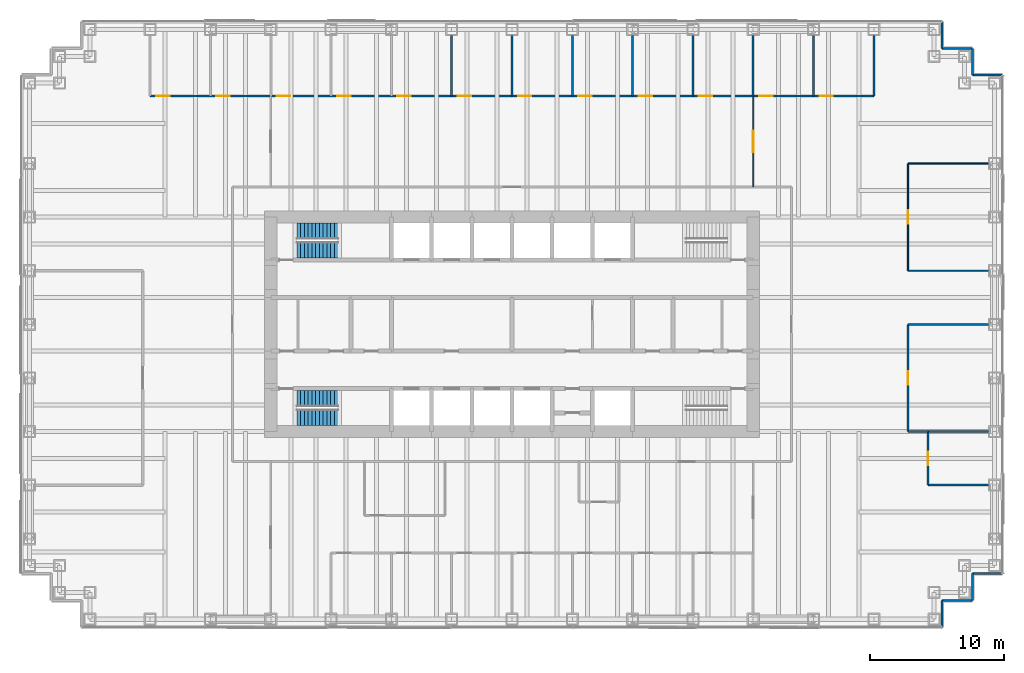
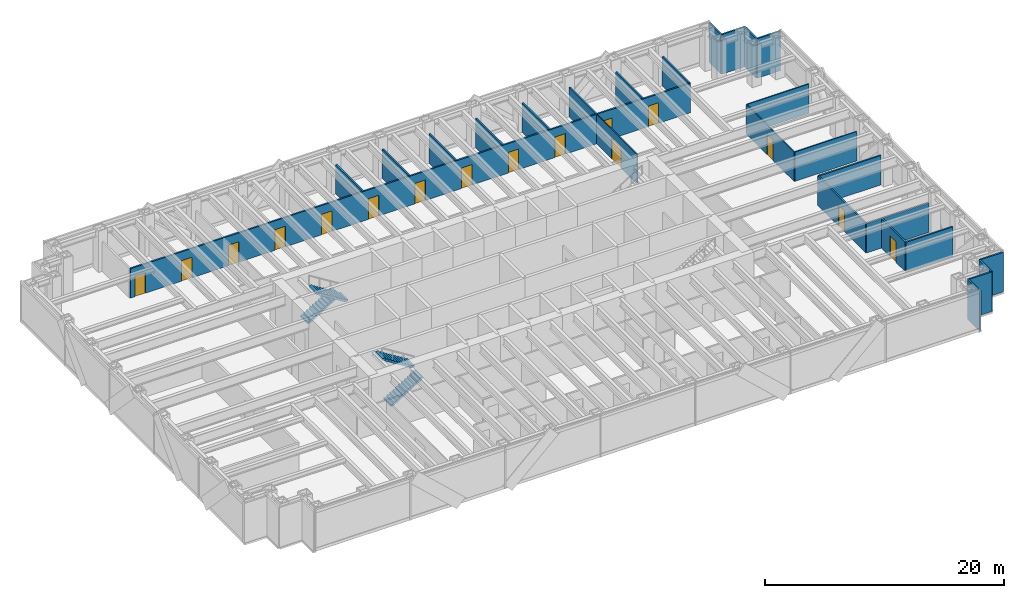
# One storey, part 14 of 16: 27 walls, 16 doors, 4 stair flights, 16 openings, 2 elements without a shape of their own.
"""IFC4 building model written with IfcOpenShell, lengths in metres."""

from ifc_helpers import new_model, si_unit, direction, frame, frame_2d, origin, place, context, subcontext, project, spatial, polyline, rectangle, outline, extrude, material, layer, layer_set, type_object, element, fill, aggregate, save


model = new_model("IFC4")

# Units and contexts
model_context = context("Model", 3, precision=1e-05, world=origin(), true_north=direction((0.0, 1.0)))
body_context = subcontext(model_context, "Body", "Model", "MODEL_VIEW")
ifc_project = project(units=[si_unit("LENGTHUNIT", "METRE"), si_unit("AREAUNIT", "SQUARE_METRE"), si_unit("VOLUMEUNIT", "CUBIC_METRE"), si_unit("PLANEANGLEUNIT", "RADIAN"), si_unit("MASSUNIT", "GRAM", prefix="KILO")], contexts=[model_context])

# Site, building, storey
site_placement = place(None, origin())
site = spatial("IfcSite", under=ifc_project, at=site_placement, CompositionType="ELEMENT")
building_placement = place(site_placement, origin())
building = spatial("IfcBuilding", under=site, at=building_placement, Name="Rheinbord Bourse Tower", CompositionType="ELEMENT")
storey_placement = place(building_placement, frame((0.0, 0.0, 171.89990234375)))
storey = spatial("IfcBuildingStorey", under=building, at=storey_placement, Name="L38", CompositionType="ELEMENT", Elevation=171.89990234375)

# Walls
ifc_material_1 = material(Name="Black metal rainscreen panel", Category="aluminium")
ifc_layer_1 = layer(ifc_material_1, 0.14990234375)
ifc_layer_set_1 = layer_set([ifc_layer_1], Name="CORNER PIER CLADDING 150")
wall_type_1 = type_object("IfcWallType", Name="CORNER PIER CLADDING 150", PredefinedType="ELEMENTEDWALL", material=ifc_layer_set_1)
wall_1_placement = place(storey_placement, frame((68.10009765625, 1.39990234375, 0.0), z_axis=(0.0, 0.0, 1.0), x_axis=(0.0, 1.0, 0.0)))
element("IfcWall", 1, at=wall_1_placement, inside=storey, type_object=wall_type_1, Name="Corner pier cladding L38 2", PredefinedType="ELEMENTEDWALL", context=body_context, shape_type="SweptSolid", body=[
    extrude(rectangle(XDim=2.0, YDim=0.14990234375, at=frame_2d((1.0, 0.0))), origin(), (0.0, 0.0, 1.0), 4.0400390625),
])
wall_2_placement = place(storey_placement, frame((68.10009765625, 3.39990234375, 0.0), z_axis=(0.0, 0.0, 1.0), x_axis=(1.0, 0.0, 0.0)))
element("IfcWall", 2, at=wall_2_placement, inside=storey, type_object=wall_type_1, Name="Corner pier cladding L38 3", PredefinedType="ELEMENTEDWALL", context=body_context, shape_type="SweptSolid", body=[
    extrude(rectangle(XDim=2.25, YDim=0.14990234375, at=frame_2d((1.125, 0.0))), origin(), (0.0, 0.0, 1.0), 4.0400390625),
])
wall_3_placement = place(storey_placement, frame((70.35009765625, 3.39990234375, 0.0), z_axis=(0.0, 0.0, 1.0), x_axis=(0.0, 1.0, 0.0)))
element("IfcWall", 3, at=wall_3_placement, inside=storey, type_object=wall_type_1, Name="Corner pier cladding L38 4", PredefinedType="ELEMENTEDWALL", context=body_context, shape_type="SweptSolid", body=[
    extrude(rectangle(XDim=2.0, YDim=0.14990234375, at=frame_2d((1.0, 0.0))), origin(), (0.0, 0.0, 1.0), 4.0400390625),
])
for number, where, z_axis, x_axis, name in (
    (4, (70.35009765625, 5.39990234375, 0.0), (0.0, 0.0, 1.0), (1.0, 0.0, 0.0), "Corner pier cladding L38 5"),
    (5, (72.60009765625, 42.60009765625, 0.0), (0.0, 0.0, 1.0), (-1.0, 0.0, 0.0), "Corner pier cladding L38 7"),
):
    element("IfcWall", number, at=place(storey_placement, frame(where, z_axis=z_axis, x_axis=x_axis)), inside=storey, type_object=wall_type_1, Name=name, PredefinedType="ELEMENTEDWALL", context=body_context, shape_type="SweptSolid", body=[
        extrude(rectangle(XDim=2.25, YDim=0.14990234375, at=frame_2d((1.125, 0.0))), origin(), (0.0, 0.0, 1.0), 4.0400390625),
    ])
wall_4_placement = place(storey_placement, frame((70.35009765625, 42.60009765625, 0.0), z_axis=(0.0, 0.0, 1.0), x_axis=(0.0, 1.0, 0.0)))
element("IfcWall", 6, at=wall_4_placement, inside=storey, type_object=wall_type_1, Name="Corner pier cladding L38 8", PredefinedType="ELEMENTEDWALL", context=body_context, shape_type="SweptSolid", body=[
    extrude(rectangle(XDim=2.0, YDim=0.14990234375, at=frame_2d((1.0, 0.0))), origin(), (0.0, 0.0, 1.0), 4.0400390625),
])
wall_5_placement = place(storey_placement, frame((70.35009765625, 44.60009765625, 0.0), z_axis=(0.0, 0.0, 1.0), x_axis=(-1.0, 0.0, 0.0)))
element("IfcWall", 7, at=wall_5_placement, inside=storey, type_object=wall_type_1, Name="Corner pier cladding L38 9", PredefinedType="ELEMENTEDWALL", context=body_context, shape_type="SweptSolid", body=[
    extrude(rectangle(XDim=2.25, YDim=0.14990234375, at=frame_2d((1.125, 0.0))), origin(), (0.0, 0.0, 1.0), 4.0400390625),
])
wall_6_placement = place(storey_placement, frame((68.10009765625, 44.60009765625, 0.0), z_axis=(0.0, 0.0, 1.0), x_axis=(0.0, 1.0, 0.0)))
element("IfcWall", 8, at=wall_6_placement, inside=storey, type_object=wall_type_1, Name="Corner pier cladding L38 10", PredefinedType="ELEMENTEDWALL", context=body_context, shape_type="SweptSolid", body=[
    extrude(rectangle(XDim=2.0, YDim=0.14990234375, at=frame_2d((1.0, 0.0))), origin(), (0.0, 0.0, 1.0), 4.0400390625),
])
ifc_material_2 = material(Name="Gypsum board fire partition", Category="gypsum board")
ifc_layer_2 = layer(ifc_material_2, 0.14990234375)
ifc_layer_set_2 = layer_set([ifc_layer_2], Name="FIRE PARTITION 150 EI60")
wall_type_2 = type_object("IfcWallType", Name="FIRE PARTITION 150 EI60", PredefinedType="PARTITIONING", material=ifc_layer_set_2)
for number, where, z_axis, x_axis, name in (
    (9, (67.050048828125, 12.0, 0.0), (0.0, 0.0, 1.0), (1.0, 0.0, 0.0), "Partition L38-05"),
    (10, (67.050048828125, 16.0, 0.0), (0.0, 0.0, 1.0), (1.0, 0.0, 0.0), "Partition L38-08"),
):
    element("IfcWall", number, at=place(storey_placement, frame(where, z_axis=z_axis, x_axis=x_axis)), inside=storey, type_object=wall_type_2, Name=name, PredefinedType="PARTITIONING", context=body_context, shape_type="SweptSolid", body=[
        extrude(rectangle(XDim=4.5, YDim=0.14990234375, at=frame_2d((2.25, 0.0))), origin(), (0.0, 0.0, 1.0), 3.0),
    ])

# Wall, opening, door
wall_7_placement = place(storey_placement, frame((67.050048828125, 12.0, 0.0), z_axis=(0.0, 0.0, 1.0), x_axis=(0.0, 1.0, 0.0)))
wall_7 = element("IfcWall", 11, at=wall_7_placement, inside=storey, type_object=wall_type_2, Name="Partition L38-49", PredefinedType="PARTITIONING", context=body_context, shape_type="SweptSolid", body=[
    extrude(rectangle(XDim=4.0, YDim=0.14990234375, at=frame_2d((2.0, 0.0))), origin(), (0.0, 0.0, 1.0), 3.0),
])
opening_1_placement = place(wall_7_placement, frame((1.5, 0.0, 0.0)))
opening_1 = element("IfcOpeningElement", 12, at=opening_1_placement, cuts=wall_7, Name="Opening 38D10", PredefinedType="OPENING", context=body_context, shape_type="SweptSolid", body=[
    extrude(rectangle(XDim=1.0, YDim=2.10009765625, at=frame_2d((0.5, 1.050048828125))), frame((0.0, 0.0849609375, 0.0), z_axis=(0.0, -1.0, 0.0), x_axis=(1.0, 0.0, 0.0)), (0.0, 0.0, 1.0), 0.169921875),
])
ifc_material_3 = material(Name="Timber fire door", Category="wood")
door_type_1 = type_object("IfcDoorType", Name="FIRE DOOR 1000 EI60", OperationType="SINGLE_SWING_LEFT", PredefinedType="DOOR", material=ifc_material_3)
door_1_placement = place(opening_1_placement, origin())
door_1 = element("IfcDoor", 13, at=door_1_placement, inside=storey, type_object=door_type_1, Name="File room door L38", OperationType="SINGLE_SWING_LEFT", OverallHeight=2.10009765625, OverallWidth=1.0, PredefinedType="DOOR", context=body_context, shape_type="SweptSolid", body=[
    extrude(rectangle(XDim=1.0, YDim=2.10009765625, at=frame_2d((0.5, 1.050048828125))), frame((0.0, 0.02490234375, 0.0), z_axis=(0.0, -1.0, 0.0), x_axis=(1.0, 0.0, 0.0)), (0.0, 0.0, 1.0), 0.050048828125),
])
fill(opening_1, door_1)

# Walls
ifc_material_4 = material(Name="Toughened laminated glass partition", Category="glass")
ifc_layer_3 = layer(ifc_material_4, 0.10009765625)
ifc_layer_set_3 = layer_set([ifc_layer_3], Name="GLAZED PARTITION 100")
wall_type_3 = type_object("IfcWallType", Name="GLAZED PARTITION 100", PredefinedType="PARTITIONING", material=ifc_layer_set_3)
for number, where, z_axis, x_axis, name in (
    (14, (65.550048828125, 28.0, 0.0), (0.0, 0.0, 1.0), (1.0, 0.0, 0.0), "Partition L38-11"),
    (15, (65.550048828125, 36.0, 0.0), (0.0, 0.0, 1.0), (1.0, 0.0, 0.0), "Partition L38-13"),
):
    element("IfcWall", number, at=place(storey_placement, frame(where, z_axis=z_axis, x_axis=x_axis)), inside=storey, type_object=wall_type_3, Name=name, PredefinedType="PARTITIONING", context=body_context, shape_type="SweptSolid", body=[
        extrude(rectangle(XDim=6.0, YDim=0.10009765625, at=frame_2d((3.0, 0.0))), origin(), (0.0, 0.0, 1.0), 3.0),
    ])

# Wall, opening, door
wall_8_placement = place(storey_placement, frame((54.0, 34.25, 0.0), z_axis=(0.0, 0.0, 1.0), x_axis=(0.0, 1.0, 0.0)))
wall_8 = element("IfcWall", 16, at=wall_8_placement, inside=storey, type_object=wall_type_3, Name="Partition L38-42", PredefinedType="PARTITIONING", context=body_context, shape_type="SweptSolid", body=[
    extrude(rectangle(XDim=6.800048828125, YDim=0.10009765625, at=frame_2d((3.39990234375, 0.0))), origin(), (0.0, 0.0, 1.0), 3.0),
])
opening_2_placement = place(wall_8_placement, frame((2.60009765625, 0.0, 0.0)))
opening_2 = element("IfcOpeningElement", 17, at=opening_2_placement, cuts=wall_8, Name="Opening 38D29", PredefinedType="OPENING", context=body_context, shape_type="SweptSolid", body=[
    extrude(rectangle(XDim=1.60009765625, YDim=2.10009765625, at=frame_2d((0.800048828125, 1.050048828125))), frame((0.0, 0.06005859375, 0.0), z_axis=(0.0, -1.0, 0.0), x_axis=(1.0, 0.0, 0.0)), (0.0, 0.0, 1.0), 0.1201171875),
])
ifc_material_5 = material(Name="Timber door", Category="wood")
door_type_2 = type_object("IfcDoorType", Name="DOUBLE ROOM DOOR 1600", OperationType="DOUBLE_DOOR_DOUBLE_SWING", PredefinedType="DOOR", material=ifc_material_5)
door_2_placement = place(opening_2_placement, origin())
door_2 = element("IfcDoor", 18, at=door_2_placement, inside=storey, type_object=door_type_2, Name="Open area door L38", OperationType="SINGLE_SWING_LEFT", OverallHeight=2.10009765625, OverallWidth=1.60009765625, PredefinedType="DOOR", context=body_context, shape_type="SweptSolid", body=[
    extrude(rectangle(XDim=1.60009765625, YDim=2.10009765625, at=frame_2d((0.800048828125, 1.050048828125))), frame((0.0, 0.02490234375, 0.0), z_axis=(0.0, -1.0, 0.0), x_axis=(1.0, 0.0, 0.0)), (0.0, 0.0, 1.0), 0.050048828125),
])
fill(opening_2, door_2)

wall_9_placement = place(storey_placement, frame((65.550048828125, 28.0, 0.0), z_axis=(0.0, 0.0, 1.0), x_axis=(0.0, 1.0, 0.0)))
wall_9 = element("IfcWall", 19, at=wall_9_placement, inside=storey, type_object=wall_type_3, Name="Partition L38-48", PredefinedType="PARTITIONING", context=body_context, shape_type="SweptSolid", body=[
    extrude(rectangle(XDim=8.0, YDim=0.10009765625, at=frame_2d((4.0, 0.0))), origin(), (0.0, 0.0, 1.0), 3.0),
])
opening_3_placement = place(wall_9_placement, frame((3.5, 0.0, 0.0)))
opening_3 = element("IfcOpeningElement", 20, at=opening_3_placement, cuts=wall_9, Name="Opening 38D13", PredefinedType="OPENING", context=body_context, shape_type="SweptSolid", body=[
    extrude(rectangle(XDim=1.0, YDim=2.10009765625, at=frame_2d((0.5, 1.050048828125))), frame((0.0, 0.06005859375, 0.0), z_axis=(0.0, -1.0, 0.0), x_axis=(1.0, 0.0, 0.0)), (0.0, 0.0, 1.0), 0.1201171875),
])
ifc_material_6 = material(Name="Timber door", Category="wood")
door_type_3 = type_object("IfcDoorType", Name="ROOM DOOR 1000", OperationType="SINGLE_SWING_LEFT", PredefinedType="DOOR", material=ifc_material_6)
door_3_placement = place(opening_3_placement, origin())
door_3 = element("IfcDoor", 21, at=door_3_placement, inside=storey, type_object=door_type_3, Name="Meeting room door L38", OperationType="SINGLE_SWING_LEFT", OverallHeight=2.10009765625, OverallWidth=1.0, PredefinedType="DOOR", context=body_context, shape_type="SweptSolid", body=[
    extrude(rectangle(XDim=1.0, YDim=2.10009765625, at=frame_2d((0.5, 1.050048828125))), frame((0.0, 0.02490234375, 0.0), z_axis=(0.0, -1.0, 0.0), x_axis=(1.0, 0.0, 0.0)), (0.0, 0.0, 1.0), 0.050048828125),
])
fill(opening_3, door_3)

# Walls
ifc_material_7 = material(Name="Gypsum board partition", Category="gypsum board")
ifc_layer_4 = layer(ifc_material_7, 0.14990234375)
ifc_layer_set_4 = layer_set([ifc_layer_4], Name="PARTITION 150")
wall_type_4 = type_object("IfcWallType", Name="PARTITION 150", PredefinedType="PARTITIONING", material=ifc_layer_set_4)
wall_10_placement = place(storey_placement, frame((65.550048828125, 16.0, 0.0), z_axis=(0.0, 0.0, 1.0), x_axis=(1.0, 0.0, 0.0)))
element("IfcWall", 22, at=wall_10_placement, inside=storey, type_object=wall_type_4, Name="Partition L38-07", PredefinedType="PARTITIONING", context=body_context, shape_type="SweptSolid", body=[
    extrude(rectangle(XDim=1.5, YDim=0.14990234375, at=frame_2d((0.75, 0.0))), origin(), (0.0, 0.0, 1.0), 3.0),
])
wall_11_placement = place(storey_placement, frame((65.550048828125, 24.0, 0.0), z_axis=(0.0, 0.0, 1.0), x_axis=(1.0, 0.0, 0.0)))
element("IfcWall", 23, at=wall_11_placement, inside=storey, type_object=wall_type_4, Name="Partition L38-09", PredefinedType="PARTITIONING", context=body_context, shape_type="SweptSolid", body=[
    extrude(rectangle(XDim=6.0, YDim=0.14990234375, at=frame_2d((3.0, 0.0))), origin(), (0.0, 0.0, 1.0), 3.0),
])

# Wall, openings, doors
wall_12_placement = place(storey_placement, frame((9.0, 41.050048828125, 0.0), z_axis=(0.0, 0.0, 1.0), x_axis=(1.0, 0.0, 0.0)))
wall_12 = element("IfcWall", 24, at=wall_12_placement, inside=storey, type_object=wall_type_4, Name="Partition L38-14", PredefinedType="PARTITIONING", context=body_context, shape_type="SweptSolid", body=[
    extrude(rectangle(XDim=54.0, YDim=0.14990234375, at=frame_2d((27.0, 0.0))), origin(), (0.0, 0.0, 1.0), 3.0),
])
opening_4_placement = place(wall_12_placement, frame((0.449951171875, 0.0, 0.0)))
opening_4 = element("IfcOpeningElement", 25, at=opening_4_placement, cuts=wall_12, Name="Opening 38D14", PredefinedType="OPENING", context=body_context, shape_type="SweptSolid", body=[
    extrude(rectangle(XDim=1.0, YDim=2.10009765625, at=frame_2d((0.5, 1.050048828125))), frame((0.0, 0.0849609375, 0.0), z_axis=(0.0, -1.0, 0.0), x_axis=(1.0, 0.0, 0.0)), (0.0, 0.0, 1.0), 0.169921875),
])
opening_5_placement = place(wall_12_placement, frame((4.949951171875, 0.0, 0.0)))
opening_5 = element("IfcOpeningElement", 26, at=opening_5_placement, cuts=wall_12, Name="Opening 38D15", PredefinedType="OPENING", context=body_context, shape_type="SweptSolid", body=[
    extrude(rectangle(XDim=1.0, YDim=2.10009765625, at=frame_2d((0.5, 1.050048828125))), frame((0.0, 0.0849609375, 0.0), z_axis=(0.0, -1.0, 0.0), x_axis=(1.0, 0.0, 0.0)), (0.0, 0.0, 1.0), 0.169921875),
])
opening_6_placement = place(wall_12_placement, frame((9.449951171875, 0.0, 0.0)))
opening_6 = element("IfcOpeningElement", 27, at=opening_6_placement, cuts=wall_12, Name="Opening 38D16", PredefinedType="OPENING", context=body_context, shape_type="SweptSolid", body=[
    extrude(rectangle(XDim=1.0, YDim=2.10009765625, at=frame_2d((0.5, 1.050048828125))), frame((0.0, 0.0849609375, 0.0), z_axis=(0.0, -1.0, 0.0), x_axis=(1.0, 0.0, 0.0)), (0.0, 0.0, 1.0), 0.169921875),
])
opening_7_placement = place(wall_12_placement, frame((13.949951171875, 0.0, 0.0)))
opening_7 = element("IfcOpeningElement", 28, at=opening_7_placement, cuts=wall_12, Name="Opening 38D17", PredefinedType="OPENING", context=body_context, shape_type="SweptSolid", body=[
    extrude(rectangle(XDim=1.0, YDim=2.10009765625, at=frame_2d((0.5, 1.050048828125))), frame((0.0, 0.0849609375, 0.0), z_axis=(0.0, -1.0, 0.0), x_axis=(1.0, 0.0, 0.0)), (0.0, 0.0, 1.0), 0.169921875),
])
opening_8_placement = place(wall_12_placement, frame((18.449951171875, 0.0, 0.0)))
opening_8 = element("IfcOpeningElement", 29, at=opening_8_placement, cuts=wall_12, Name="Opening 38D18", PredefinedType="OPENING", context=body_context, shape_type="SweptSolid", body=[
    extrude(rectangle(XDim=1.0, YDim=2.10009765625, at=frame_2d((0.5, 1.050048828125))), frame((0.0, 0.0849609375, 0.0), z_axis=(0.0, -1.0, 0.0), x_axis=(1.0, 0.0, 0.0)), (0.0, 0.0, 1.0), 0.169921875),
])
opening_9_placement = place(wall_12_placement, frame((22.949951171875, 0.0, 0.0)))
opening_9 = element("IfcOpeningElement", 30, at=opening_9_placement, cuts=wall_12, Name="Opening 38D19", PredefinedType="OPENING", context=body_context, shape_type="SweptSolid", body=[
    extrude(rectangle(XDim=1.0, YDim=2.10009765625, at=frame_2d((0.5, 1.050048828125))), frame((0.0, 0.0849609375, 0.0), z_axis=(0.0, -1.0, 0.0), x_axis=(1.0, 0.0, 0.0)), (0.0, 0.0, 1.0), 0.169921875),
])
opening_10_placement = place(wall_12_placement, frame((27.449951171875, 0.0, 0.0)))
opening_10 = element("IfcOpeningElement", 31, at=opening_10_placement, cuts=wall_12, Name="Opening 38D20", PredefinedType="OPENING", context=body_context, shape_type="SweptSolid", body=[
    extrude(rectangle(XDim=1.0, YDim=2.10009765625, at=frame_2d((0.5, 1.050048828125))), frame((0.0, 0.0849609375, 0.0), z_axis=(0.0, -1.0, 0.0), x_axis=(1.0, 0.0, 0.0)), (0.0, 0.0, 1.0), 0.169921875),
])
opening_11_placement = place(wall_12_placement, frame((31.949951171875, 0.0, 0.0)))
opening_11 = element("IfcOpeningElement", 32, at=opening_11_placement, cuts=wall_12, Name="Opening 38D21", PredefinedType="OPENING", context=body_context, shape_type="SweptSolid", body=[
    extrude(rectangle(XDim=1.0, YDim=2.10009765625, at=frame_2d((0.5, 1.050048828125))), frame((0.0, 0.0849609375, 0.0), z_axis=(0.0, -1.0, 0.0), x_axis=(1.0, 0.0, 0.0)), (0.0, 0.0, 1.0), 0.169921875),
])
opening_12_placement = place(wall_12_placement, frame((36.449951171875, 0.0, 0.0)))
opening_12 = element("IfcOpeningElement", 33, at=opening_12_placement, cuts=wall_12, Name="Opening 38D22", PredefinedType="OPENING", context=body_context, shape_type="SweptSolid", body=[
    extrude(rectangle(XDim=1.0, YDim=2.10009765625, at=frame_2d((0.5, 1.050048828125))), frame((0.0, 0.0849609375, 0.0), z_axis=(0.0, -1.0, 0.0), x_axis=(1.0, 0.0, 0.0)), (0.0, 0.0, 1.0), 0.169921875),
])
opening_13_placement = place(wall_12_placement, frame((40.949951171875, 0.0, 0.0)))
opening_13 = element("IfcOpeningElement", 34, at=opening_13_placement, cuts=wall_12, Name="Opening 38D23", PredefinedType="OPENING", context=body_context, shape_type="SweptSolid", body=[
    extrude(rectangle(XDim=1.0, YDim=2.10009765625, at=frame_2d((0.5, 1.050048828125))), frame((0.0, 0.0849609375, 0.0), z_axis=(0.0, -1.0, 0.0), x_axis=(1.0, 0.0, 0.0)), (0.0, 0.0, 1.0), 0.169921875),
])
opening_14_placement = place(wall_12_placement, frame((45.449951171875, 0.0, 0.0)))
opening_14 = element("IfcOpeningElement", 35, at=opening_14_placement, cuts=wall_12, Name="Opening 38D24", PredefinedType="OPENING", context=body_context, shape_type="SweptSolid", body=[
    extrude(rectangle(XDim=1.0, YDim=2.10009765625, at=frame_2d((0.5, 1.050048828125))), frame((0.0, 0.0849609375, 0.0), z_axis=(0.0, -1.0, 0.0), x_axis=(1.0, 0.0, 0.0)), (0.0, 0.0, 1.0), 0.169921875),
])
opening_15_placement = place(wall_12_placement, frame((49.949951171875, 0.0, 0.0)))
opening_15 = element("IfcOpeningElement", 36, at=opening_15_placement, cuts=wall_12, Name="Opening 38D25", PredefinedType="OPENING", context=body_context, shape_type="SweptSolid", body=[
    extrude(rectangle(XDim=1.0, YDim=2.10009765625, at=frame_2d((0.5, 1.050048828125))), frame((0.0, 0.0849609375, 0.0), z_axis=(0.0, -1.0, 0.0), x_axis=(1.0, 0.0, 0.0)), (0.0, 0.0, 1.0), 0.169921875),
])
door_4_placement = place(opening_4_placement, origin())
door_4 = element("IfcDoor", 37, at=door_4_placement, inside=storey, type_object=door_type_3, Name="Office door L38", OperationType="SINGLE_SWING_LEFT", OverallHeight=2.10009765625, OverallWidth=1.0, PredefinedType="DOOR", context=body_context, shape_type="SweptSolid", body=[
    extrude(rectangle(XDim=1.0, YDim=2.10009765625, at=frame_2d((0.5, 1.050048828125))), frame((0.0, 0.02490234375, 0.0), z_axis=(0.0, -1.0, 0.0), x_axis=(1.0, 0.0, 0.0)), (0.0, 0.0, 1.0), 0.050048828125),
])
fill(opening_4, door_4)
door_5_placement = place(opening_5_placement, origin())
door_5 = element("IfcDoor", 38, at=door_5_placement, inside=storey, type_object=door_type_3, Name="Office door L38", OperationType="SINGLE_SWING_LEFT", OverallHeight=2.10009765625, OverallWidth=1.0, PredefinedType="DOOR", context=body_context, shape_type="SweptSolid", body=[
    extrude(rectangle(XDim=1.0, YDim=2.10009765625, at=frame_2d((0.5, 1.050048828125))), frame((0.0, 0.02490234375, 0.0), z_axis=(0.0, -1.0, 0.0), x_axis=(1.0, 0.0, 0.0)), (0.0, 0.0, 1.0), 0.050048828125),
])
fill(opening_5, door_5)
door_6_placement = place(opening_6_placement, origin())
door_6 = element("IfcDoor", 39, at=door_6_placement, inside=storey, type_object=door_type_3, Name="Office door L38", OperationType="SINGLE_SWING_LEFT", OverallHeight=2.10009765625, OverallWidth=1.0, PredefinedType="DOOR", context=body_context, shape_type="SweptSolid", body=[
    extrude(rectangle(XDim=1.0, YDim=2.10009765625, at=frame_2d((0.5, 1.050048828125))), frame((0.0, 0.02490234375, 0.0), z_axis=(0.0, -1.0, 0.0), x_axis=(1.0, 0.0, 0.0)), (0.0, 0.0, 1.0), 0.050048828125),
])
fill(opening_6, door_6)
door_7_placement = place(opening_7_placement, origin())
door_7 = element("IfcDoor", 40, at=door_7_placement, inside=storey, type_object=door_type_3, Name="Office door L38", OperationType="SINGLE_SWING_LEFT", OverallHeight=2.10009765625, OverallWidth=1.0, PredefinedType="DOOR", context=body_context, shape_type="SweptSolid", body=[
    extrude(rectangle(XDim=1.0, YDim=2.10009765625, at=frame_2d((0.5, 1.050048828125))), frame((0.0, 0.02490234375, 0.0), z_axis=(0.0, -1.0, 0.0), x_axis=(1.0, 0.0, 0.0)), (0.0, 0.0, 1.0), 0.050048828125),
])
fill(opening_7, door_7)
door_8_placement = place(opening_8_placement, origin())
door_8 = element("IfcDoor", 41, at=door_8_placement, inside=storey, type_object=door_type_3, Name="Office door L38", OperationType="SINGLE_SWING_LEFT", OverallHeight=2.10009765625, OverallWidth=1.0, PredefinedType="DOOR", context=body_context, shape_type="SweptSolid", body=[
    extrude(rectangle(XDim=1.0, YDim=2.10009765625, at=frame_2d((0.5, 1.050048828125))), frame((0.0, 0.02490234375, 0.0), z_axis=(0.0, -1.0, 0.0), x_axis=(1.0, 0.0, 0.0)), (0.0, 0.0, 1.0), 0.050048828125),
])
fill(opening_8, door_8)
door_9_placement = place(opening_9_placement, origin())
door_9 = element("IfcDoor", 42, at=door_9_placement, inside=storey, type_object=door_type_3, Name="Office door L38", OperationType="SINGLE_SWING_LEFT", OverallHeight=2.10009765625, OverallWidth=1.0, PredefinedType="DOOR", context=body_context, shape_type="SweptSolid", body=[
    extrude(rectangle(XDim=1.0, YDim=2.10009765625, at=frame_2d((0.5, 1.050048828125))), frame((0.0, 0.02490234375, 0.0), z_axis=(0.0, -1.0, 0.0), x_axis=(1.0, 0.0, 0.0)), (0.0, 0.0, 1.0), 0.050048828125),
])
fill(opening_9, door_9)
door_10_placement = place(opening_10_placement, origin())
door_10 = element("IfcDoor", 43, at=door_10_placement, inside=storey, type_object=door_type_3, Name="Office door L38", OperationType="SINGLE_SWING_RIGHT", OverallHeight=2.10009765625, OverallWidth=1.0, PredefinedType="DOOR", context=body_context, shape_type="SweptSolid", body=[
    extrude(rectangle(XDim=1.0, YDim=2.10009765625, at=frame_2d((0.5, 1.050048828125))), frame((0.0, 0.02490234375, 0.0), z_axis=(0.0, -1.0, 0.0), x_axis=(1.0, 0.0, 0.0)), (0.0, 0.0, 1.0), 0.050048828125),
])
fill(opening_10, door_10)
door_11_placement = place(opening_11_placement, origin())
door_11 = element("IfcDoor", 44, at=door_11_placement, inside=storey, type_object=door_type_3, Name="Office door L38", OperationType="SINGLE_SWING_RIGHT", OverallHeight=2.10009765625, OverallWidth=1.0, PredefinedType="DOOR", context=body_context, shape_type="SweptSolid", body=[
    extrude(rectangle(XDim=1.0, YDim=2.10009765625, at=frame_2d((0.5, 1.050048828125))), frame((0.0, 0.02490234375, 0.0), z_axis=(0.0, -1.0, 0.0), x_axis=(1.0, 0.0, 0.0)), (0.0, 0.0, 1.0), 0.050048828125),
])
fill(opening_11, door_11)
door_12_placement = place(opening_12_placement, origin())
door_12 = element("IfcDoor", 45, at=door_12_placement, inside=storey, type_object=door_type_3, Name="Office door L38", OperationType="SINGLE_SWING_RIGHT", OverallHeight=2.10009765625, OverallWidth=1.0, PredefinedType="DOOR", context=body_context, shape_type="SweptSolid", body=[
    extrude(rectangle(XDim=1.0, YDim=2.10009765625, at=frame_2d((0.5, 1.050048828125))), frame((0.0, 0.02490234375, 0.0), z_axis=(0.0, -1.0, 0.0), x_axis=(1.0, 0.0, 0.0)), (0.0, 0.0, 1.0), 0.050048828125),
])
fill(opening_12, door_12)
door_13_placement = place(opening_13_placement, origin())
door_13 = element("IfcDoor", 46, at=door_13_placement, inside=storey, type_object=door_type_3, Name="Office door L38", OperationType="SINGLE_SWING_RIGHT", OverallHeight=2.10009765625, OverallWidth=1.0, PredefinedType="DOOR", context=body_context, shape_type="SweptSolid", body=[
    extrude(rectangle(XDim=1.0, YDim=2.10009765625, at=frame_2d((0.5, 1.050048828125))), frame((0.0, 0.02490234375, 0.0), z_axis=(0.0, -1.0, 0.0), x_axis=(1.0, 0.0, 0.0)), (0.0, 0.0, 1.0), 0.050048828125),
])
fill(opening_13, door_13)
door_14_placement = place(opening_14_placement, origin())
door_14 = element("IfcDoor", 47, at=door_14_placement, inside=storey, type_object=door_type_3, Name="Office door L38", OperationType="SINGLE_SWING_RIGHT", OverallHeight=2.10009765625, OverallWidth=1.0, PredefinedType="DOOR", context=body_context, shape_type="SweptSolid", body=[
    extrude(rectangle(XDim=1.0, YDim=2.10009765625, at=frame_2d((0.5, 1.050048828125))), frame((0.0, 0.02490234375, 0.0), z_axis=(0.0, -1.0, 0.0), x_axis=(1.0, 0.0, 0.0)), (0.0, 0.0, 1.0), 0.050048828125),
])
fill(opening_14, door_14)
door_15_placement = place(opening_15_placement, origin())
door_15 = element("IfcDoor", 48, at=door_15_placement, inside=storey, type_object=door_type_3, Name="Office door L38", OperationType="SINGLE_SWING_RIGHT", OverallHeight=2.10009765625, OverallWidth=1.0, PredefinedType="DOOR", context=body_context, shape_type="SweptSolid", body=[
    extrude(rectangle(XDim=1.0, YDim=2.10009765625, at=frame_2d((0.5, 1.050048828125))), frame((0.0, 0.02490234375, 0.0), z_axis=(0.0, -1.0, 0.0), x_axis=(1.0, 0.0, 0.0)), (0.0, 0.0, 1.0), 0.050048828125),
])
fill(opening_15, door_15)

# Walls
for number, where, z_axis, x_axis, name in (
    (49, (31.5, 41.050048828125, 0.0), (0.0, 0.0, 1.0), (0.0, 1.0, 0.0), "Partition L38-29"),
    (50, (36.0, 41.050048828125, 0.0), (0.0, 0.0, 1.0), (0.0, 1.0, 0.0), "Partition L38-31"),
    (51, (40.5, 41.050048828125, 0.0), (0.0, 0.0, 1.0), (0.0, 1.0, 0.0), "Partition L38-33"),
    (52, (45.0, 41.050048828125, 0.0), (0.0, 0.0, 1.0), (0.0, 1.0, 0.0), "Partition L38-37"),
    (53, (49.5, 41.050048828125, 0.0), (0.0, 0.0, 1.0), (0.0, 1.0, 0.0), "Partition L38-39"),
    (54, (54.0, 41.050048828125, 0.0), (0.0, 0.0, 1.0), (0.0, 1.0, 0.0), "Partition L38-43"),
    (55, (58.5, 41.050048828125, 0.0), (0.0, 0.0, 1.0), (0.0, 1.0, 0.0), "Partition L38-45"),
    (56, (63.0, 41.050048828125, 0.0), (0.0, 0.0, 1.0), (0.0, 1.0, 0.0), "Partition L38-46"),
):
    element("IfcWall", number, at=place(storey_placement, frame(where, z_axis=z_axis, x_axis=x_axis)), inside=storey, type_object=wall_type_4, Name=name, PredefinedType="PARTITIONING", context=body_context, shape_type="SweptSolid", body=[
        extrude(rectangle(XDim=4.5, YDim=0.14990234375, at=frame_2d((2.25, 0.0))), origin(), (0.0, 0.0, 1.0), 3.0),
    ])

# Wall, opening, door
wall_13_placement = place(storey_placement, frame((65.550048828125, 16.0, 0.0), z_axis=(0.0, 0.0, 1.0), x_axis=(0.0, 1.0, 0.0)))
wall_13 = element("IfcWall", 57, at=wall_13_placement, inside=storey, type_object=wall_type_4, Name="Partition L38-47", PredefinedType="PARTITIONING", context=body_context, shape_type="SweptSolid", body=[
    extrude(rectangle(XDim=8.0, YDim=0.14990234375, at=frame_2d((4.0, 0.0))), origin(), (0.0, 0.0, 1.0), 3.0),
])
opening_16_placement = place(wall_13_placement, frame((3.5, 0.0, 0.0)))
opening_16 = element("IfcOpeningElement", 58, at=opening_16_placement, cuts=wall_13, Name="Opening 38D11", PredefinedType="OPENING", context=body_context, shape_type="SweptSolid", body=[
    extrude(rectangle(XDim=1.0, YDim=2.10009765625, at=frame_2d((0.5, 1.050048828125))), frame((0.0, 0.0849609375, 0.0), z_axis=(0.0, -1.0, 0.0), x_axis=(1.0, 0.0, 0.0)), (0.0, 0.0, 1.0), 0.169921875),
])
door_16_placement = place(opening_16_placement, origin())
door_16 = element("IfcDoor", 59, at=door_16_placement, inside=storey, type_object=door_type_3, Name="Library door L38", OperationType="SINGLE_SWING_LEFT", OverallHeight=2.10009765625, OverallWidth=1.0, PredefinedType="DOOR", context=body_context, shape_type="SweptSolid", body=[
    extrude(rectangle(XDim=1.0, YDim=2.10009765625, at=frame_2d((0.5, 1.050048828125))), frame((0.0, 0.02490234375, 0.0), z_axis=(0.0, -1.0, 0.0), x_axis=(1.0, 0.0, 0.0)), (0.0, 0.0, 1.0), 0.050048828125),
])
fill(opening_16, door_16)

# Stair, stair flights
ifc_material_8 = material(Name="Concrete C30/37", Category="concrete")
stair_type = type_object("IfcStairType", Name="CORE STAIR HALF TURN 4200", PredefinedType="HALF_TURN_STAIR", material=ifc_material_8)
stair_1_placement = place(storey_placement, origin())
stair_1 = element("IfcStair", 60, at=stair_1_placement, inside=storey, type_object=stair_type, Name="Stair ST1 L38, type CS6", PredefinedType="HALF_TURN_STAIR")
ifc_material_9 = material(Name="Concrete C30/37", Category="concrete")
stair_flight_type = type_object("IfcStairFlightType", Name="CORE STAIR FLIGHT 1200, 12 RISERS", PredefinedType="STRAIGHT", material=ifc_material_9)
stair_flight_1_placement = place(storey_placement, frame((19.949951171875, 17.050048828125, 0.0), z_axis=(0.0, 0.0, 1.0), x_axis=(1.0, 0.0, 0.0)))
stair_flight_1 = element("IfcStairFlight", 61, at=stair_flight_1_placement, type_object=stair_flight_type, Name="STAIR L38 ST1 F1", NumberOfRisers=12, NumberOfTreads=11, PredefinedType="STRAIGHT", RiserHeight=0.175, TreadLength=0.28, context=body_context, shape_type="SweptSolid", body=[
    extrude(outline(polyline([(0.0, 0.0), (0.0, 0.175048828125), (0.280029296875, 0.175048828125), (0.280029296875, 0.35009765625), (0.56005859375, 0.35009765625), (0.56005859375, 0.52490234375), (0.840087890625, 0.52490234375), (0.840087890625, 0.699951171875), (1.1201171875, 0.699951171875), (1.1201171875, 0.875), (1.39990234375, 0.875), (1.39990234375, 1.050048828125), (1.679931640625, 1.050048828125), (1.679931640625, 1.22509765625), (1.9599609375, 1.22509765625), (1.9599609375, 1.39990234375), (2.239990234375, 1.39990234375), (2.239990234375, 1.574951171875), (2.52001953125, 1.574951171875), (2.52001953125, 1.75), (2.800048828125, 1.75), (2.800048828125, 1.925048828125), (3.080078125, 1.925048828125), (3.080078125, 2.10009765625), (3.080078125, 1.748291015625), (0.28271484375, 0.0), (0.0, 0.0)])), frame((0.0, 0.60009765625, 0.0), z_axis=(0.0, -1.0, 0.0), x_axis=(1.0, 0.0, 0.0)), (0.0, 0.0, 1.0), 1.199951171875),
])
stair_flight_2_placement = place(storey_placement, frame((23.030029296875, 18.449951171875, 2.10009765625), z_axis=(0.0, 0.0, 1.0), x_axis=(-1.0, 0.0, 0.0)))
stair_flight_2 = element("IfcStairFlight", 62, at=stair_flight_2_placement, type_object=stair_flight_type, Name="STAIR L38 ST1 F2", NumberOfRisers=12, NumberOfTreads=11, PredefinedType="STRAIGHT", RiserHeight=0.175, TreadLength=0.28, context=body_context, shape_type="SweptSolid", body=[
    extrude(outline(polyline([(0.0, 0.0), (0.0, 0.175048828125), (0.280029296875, 0.175048828125), (0.280029296875, 0.35009765625), (0.56005859375, 0.35009765625), (0.56005859375, 0.52490234375), (0.840087890625, 0.52490234375), (0.840087890625, 0.699951171875), (1.1201171875, 0.699951171875), (1.1201171875, 0.875), (1.39990234375, 0.875), (1.39990234375, 1.050048828125), (1.679931640625, 1.050048828125), (1.679931640625, 1.22509765625), (1.9599609375, 1.22509765625), (1.9599609375, 1.39990234375), (2.239990234375, 1.39990234375), (2.239990234375, 1.574951171875), (2.52001953125, 1.574951171875), (2.52001953125, 1.75), (2.800048828125, 1.75), (2.800048828125, 1.925048828125), (3.080078125, 1.925048828125), (3.080078125, 2.10009765625), (3.080078125, 1.748291015625), (0.28271484375, 0.0), (0.0, 0.0)])), frame((0.0, 0.60009765625, 0.0), z_axis=(0.0, -1.0, 0.0), x_axis=(1.0, 0.0, 0.0)), (0.0, 0.0, 1.0), 1.199951171875),
])
aggregate(stair_1, [stair_flight_1, stair_flight_2])

stair_2_placement = place(storey_placement, origin())
stair_2 = element("IfcStair", 63, at=stair_2_placement, inside=storey, type_object=stair_type, Name="Stair ST2 L38, type CS6", PredefinedType="HALF_TURN_STAIR")
stair_flight_3_placement = place(storey_placement, frame((19.949951171875, 30.949951171875, 0.0), z_axis=(0.0, 0.0, 1.0), x_axis=(1.0, 0.0, 0.0)))
stair_flight_3 = element("IfcStairFlight", 64, at=stair_flight_3_placement, type_object=stair_flight_type, Name="STAIR L38 ST2 F1", NumberOfRisers=12, NumberOfTreads=11, PredefinedType="STRAIGHT", RiserHeight=0.175, TreadLength=0.28, context=body_context, shape_type="SweptSolid", body=[
    extrude(outline(polyline([(0.0, 0.0), (0.0, 0.175048828125), (0.280029296875, 0.175048828125), (0.280029296875, 0.35009765625), (0.56005859375, 0.35009765625), (0.56005859375, 0.52490234375), (0.840087890625, 0.52490234375), (0.840087890625, 0.699951171875), (1.1201171875, 0.699951171875), (1.1201171875, 0.875), (1.39990234375, 0.875), (1.39990234375, 1.050048828125), (1.679931640625, 1.050048828125), (1.679931640625, 1.22509765625), (1.9599609375, 1.22509765625), (1.9599609375, 1.39990234375), (2.239990234375, 1.39990234375), (2.239990234375, 1.574951171875), (2.52001953125, 1.574951171875), (2.52001953125, 1.75), (2.800048828125, 1.75), (2.800048828125, 1.925048828125), (3.080078125, 1.925048828125), (3.080078125, 2.10009765625), (3.080078125, 1.748291015625), (0.28271484375, 0.0), (0.0, 0.0)])), frame((0.0, 0.60009765625, 0.0), z_axis=(0.0, -1.0, 0.0), x_axis=(1.0, 0.0, 0.0)), (0.0, 0.0, 1.0), 1.199951171875),
])
stair_flight_4_placement = place(storey_placement, frame((23.030029296875, 29.550048828125, 2.10009765625), z_axis=(0.0, 0.0, 1.0), x_axis=(-1.0, 0.0, 0.0)))
stair_flight_4 = element("IfcStairFlight", 65, at=stair_flight_4_placement, type_object=stair_flight_type, Name="STAIR L38 ST2 F2", NumberOfRisers=12, NumberOfTreads=11, PredefinedType="STRAIGHT", RiserHeight=0.175, TreadLength=0.28, context=body_context, shape_type="SweptSolid", body=[
    extrude(outline(polyline([(0.0, 0.0), (0.0, 0.175048828125), (0.280029296875, 0.175048828125), (0.280029296875, 0.35009765625), (0.56005859375, 0.35009765625), (0.56005859375, 0.52490234375), (0.840087890625, 0.52490234375), (0.840087890625, 0.699951171875), (1.1201171875, 0.699951171875), (1.1201171875, 0.875), (1.39990234375, 0.875), (1.39990234375, 1.050048828125), (1.679931640625, 1.050048828125), (1.679931640625, 1.22509765625), (1.9599609375, 1.22509765625), (1.9599609375, 1.39990234375), (2.239990234375, 1.39990234375), (2.239990234375, 1.574951171875), (2.52001953125, 1.574951171875), (2.52001953125, 1.75), (2.800048828125, 1.75), (2.800048828125, 1.925048828125), (3.080078125, 1.925048828125), (3.080078125, 2.10009765625), (3.080078125, 1.748291015625), (0.28271484375, 0.0), (0.0, 0.0)])), frame((0.0, 0.60009765625, 0.0), z_axis=(0.0, -1.0, 0.0), x_axis=(1.0, 0.0, 0.0)), (0.0, 0.0, 1.0), 1.199951171875),
])
aggregate(stair_2, [stair_flight_3, stair_flight_4])

save(model, "model.ifc")
